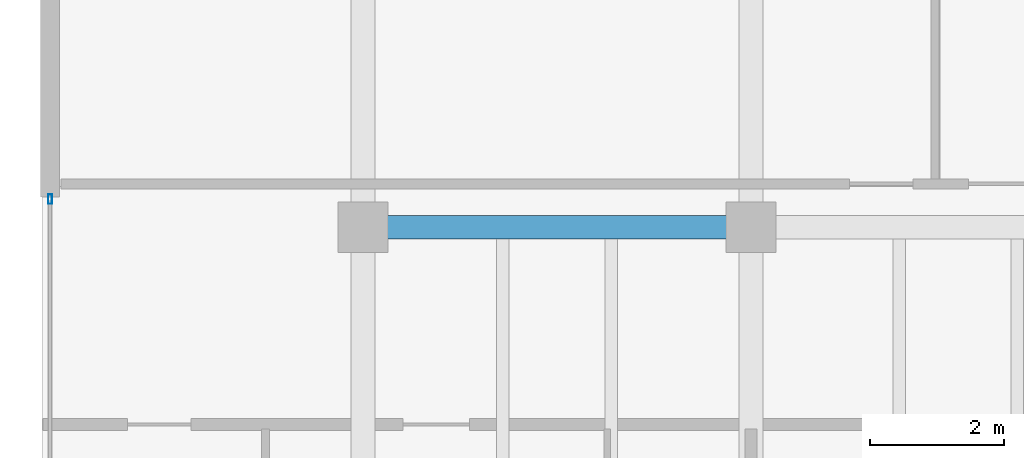
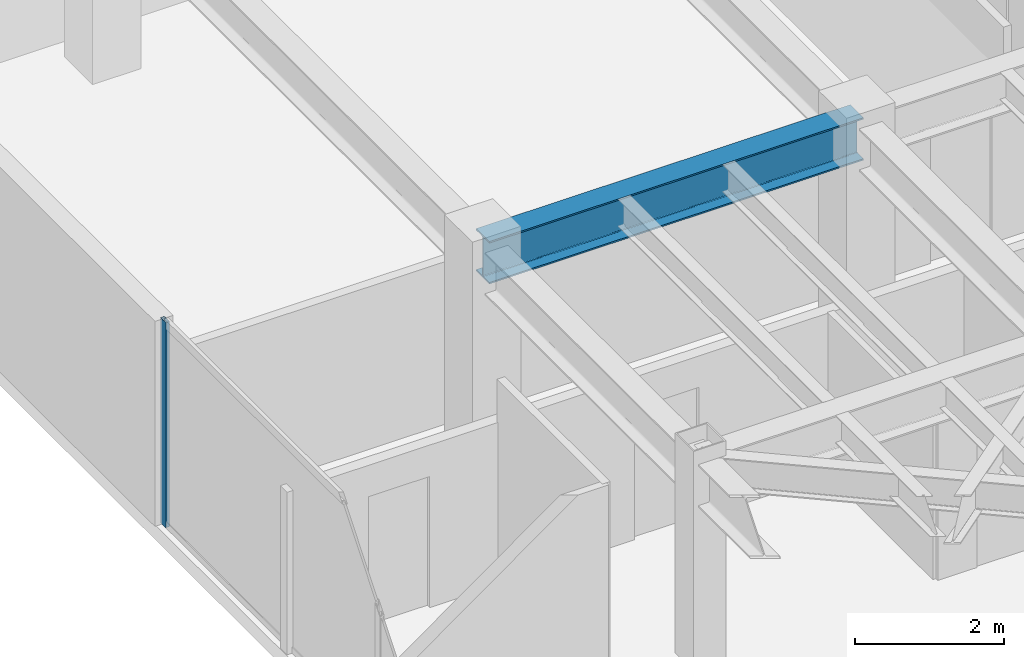
# One storey, part 11 of 19: 1 beam, 1 member, 1 element without a shape of its own.
"""IFC4 building model written with IfcOpenShell, lengths in metres."""

from ifc_helpers import new_model, si_unit, direction, frame, origin, origin_2d, place, context, subcontext, project, spatial, hollow_rectangle, i_section, extrude, material, layer, layer_set, material_profile, profile_set, type_object, element, aggregate, save


model = new_model("IFC4")

# Units and contexts
model_context = context("Model", 3, precision=1e-05, world=origin(), true_north=direction((0.0, 1.0)))
body_context = subcontext(model_context, "Body", "Model", "MODEL_VIEW")
ifc_project = project(units=[si_unit("LENGTHUNIT", "METRE"), si_unit("AREAUNIT", "SQUARE_METRE"), si_unit("VOLUMEUNIT", "CUBIC_METRE"), si_unit("PLANEANGLEUNIT", "RADIAN"), si_unit("MASSUNIT", "GRAM", prefix="KILO")], contexts=[model_context])

# Site, building, storey
site_placement = place(None, origin())
site = spatial("IfcSite", under=ifc_project, at=site_placement, CompositionType="ELEMENT")
building_placement = place(site_placement, origin())
building = spatial("IfcBuilding", under=site, at=building_placement, Name="Kravanh Interchange Tower", CompositionType="ELEMENT")
storey_placement = place(building_placement, frame((0.0, 0.0, 267.0)))
storey = spatial("IfcBuildingStorey", under=building, at=storey_placement, Name="L65", CompositionType="ELEMENT", Elevation=267.0)

# Curtain wall, member
ifc_material_1 = material(Name="Anodised Bronze Aluminium", Category="aluminium")
ifc_layer = layer(ifc_material_1, 0.179931640625)
ifc_layer_set = layer_set([ifc_layer], Name="Unitised Curtain Wall System CW-HTL Luxury Hotel")
curtain_wall_type = type_object("IfcCurtainWallType", Name="Unitised Curtain Wall System CW-HTL Luxury Hotel", PredefinedType="NOTDEFINED", material=ifc_layer_set)
curtain_wall_placement = place(storey_placement, origin())
curtain_wall = element("IfcCurtainWall", 1, at=curtain_wall_placement, inside=storey, type_object=curtain_wall_type, Name="L65 Unitised Curtain Wall CW-L65-01", PredefinedType="NOTDEFINED")
ifc_material_2 = material(Name="Anodised Bronze Aluminium", Category="aluminium")
ifc_material_profile_1 = material_profile(ifc_material_2, hollow_rectangle(XDim=0.06005859375, YDim=0.139892578125, WallThickness=0.00390625, at=origin_2d()), Name="ALU60X140X4")
ifc_profile_set_1 = profile_set([ifc_material_profile_1], Name="Anodised Bronze Aluminium")
member_type = type_object("IfcMemberType", Name="Curtain Wall Mullion ALU60X140X4 Bronze", PredefinedType="MULLION", material=ifc_profile_set_1)
member_placement = place(storey_placement, frame((28.1201171875, 37.77001953125, 0.0), z_axis=(0.0, 0.0, 1.0), x_axis=(-1.0, 0.0, 0.0)))
member = element("IfcMember", 2, at=member_placement, type_object=member_type, Name="CW-HTL mullion 4", PredefinedType="MULLION", context=body_context, shape_type="SweptSolid", body=[
    extrude(hollow_rectangle(XDim=0.06005859375, YDim=0.139892578125, WallThickness=0.00390625, at=origin_2d()), origin(), (0.0, 0.0, 1.0), 3.360107421875),
])
aggregate(curtain_wall, [member])

# Beam
ifc_material_3 = material(Name="Structural Steel S355", Category="steel")
ifc_material_profile_2 = material_profile(ifc_material_3, i_section(OverallWidth=0.35498046875, OverallDepth=0.696044921875, WebThickness=0.015380859375, FlangeThickness=0.02490234375, FilletRadius=0.02392578125, at=origin_2d()), Name="W27X146")
ifc_profile_set_2 = profile_set([ifc_material_profile_2], Name="Structural Steel S355")
beam_type = type_object("IfcBeamType", Name="Floor Beam W27X146 Structural Steel S355", PredefinedType="BEAM", material=ifc_profile_set_2)
beam_placement = place(storey_placement, frame((38.60009765625, 37.35009765625, 3.011962890625), z_axis=(-1.0, 0.0, 0.0), x_axis=(0.0, -1.0, 0.0)))
element("IfcBeam", 3, at=beam_placement, inside=storey, type_object=beam_type, Name="L65 Primary Floor Girder 46", PredefinedType="BEAM", context=body_context, shape_type="SweptSolid", body=[
    extrude(i_section(OverallWidth=0.35498046875, OverallDepth=0.696044921875, WebThickness=0.015380859375, FlangeThickness=0.02490234375, FilletRadius=0.02392578125, at=origin_2d()), origin(), (0.0, 0.0, 1.0), 5.800048828125),
])

save(model, "model.ifc")
